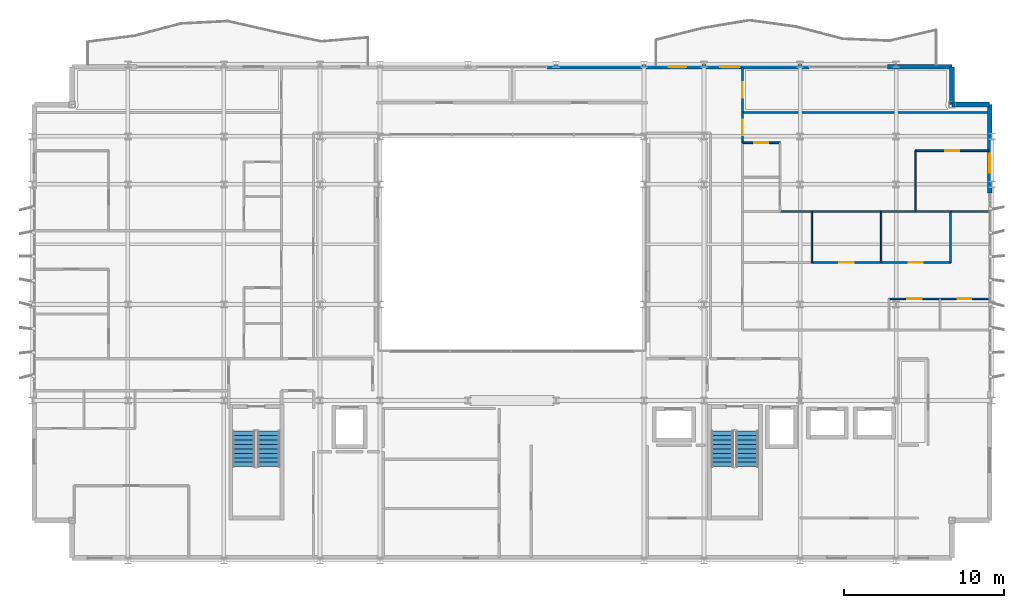
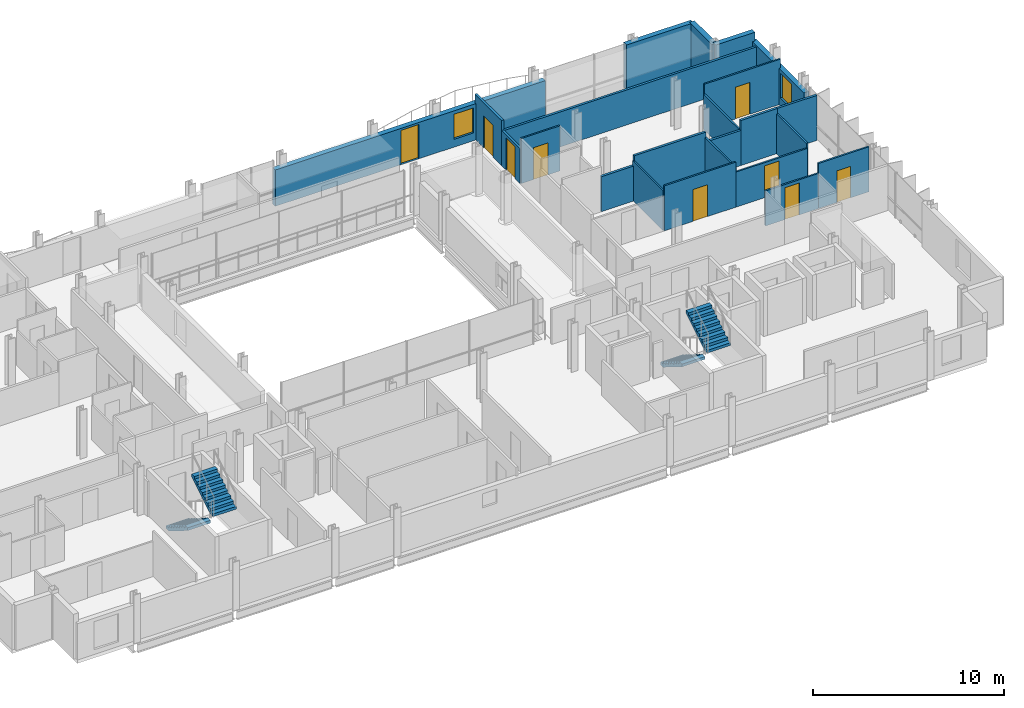
# One storey, part 33 of 38: 23 walls, 9 doors, 4 stair flights, 2 windows, 11 openings, 2 elements without a shape of their own.
"""IFC4 building model written with IfcOpenShell, lengths in metres."""

from ifc_helpers import new_model, si_unit, direction, frame, frame_2d, origin, place, context, subcontext, project, spatial, polyline, rectangle, outline, extrude, material, layer, layer_set, type_object, element, fill, aggregate, save


model = new_model("IFC4")

# Units and contexts
model_context = context("Model", 3, precision=1e-05, world=origin(), true_north=direction((0.0, 1.0)))
body_context = subcontext(model_context, "Body", "Model", "MODEL_VIEW")
ifc_project = project(units=[si_unit("LENGTHUNIT", "METRE"), si_unit("AREAUNIT", "SQUARE_METRE"), si_unit("VOLUMEUNIT", "CUBIC_METRE"), si_unit("PLANEANGLEUNIT", "RADIAN"), si_unit("MASSUNIT", "GRAM", prefix="KILO")], contexts=[model_context])

# Site, building, storey
site_placement = place(None, origin())
site = spatial("IfcSite", under=ifc_project, at=site_placement, CompositionType="ELEMENT")
building_placement = place(site_placement, origin())
building = spatial("IfcBuilding", under=site, at=building_placement, Name="Brevholm Reach", CompositionType="ELEMENT")
storey_placement = place(building_placement, frame((0.0, 0.0, 166.60009765625)))
storey = spatial("IfcBuildingStorey", under=building, at=storey_placement, Name="L50", CompositionType="ELEMENT", Elevation=166.60009765625)

# Walls
ifc_material_1 = material(Name="Concrete C40/50", Category="concrete")
ifc_layer_1 = layer(ifc_material_1, 0.300048828125)
ifc_layer_set_1 = layer_set([ifc_layer_1], Name="Concrete C40/50")
wall_type_1 = type_object("IfcWallType", Name="WAL-EXT-300", PredefinedType="STANDARD", material=ifc_layer_set_1)
for number, where, z_axis, x_axis, name in (
    (1, (59.85009765625, 28.5, 0.0), (0.0, 0.0, 1.0), (-1.0, 0.0, 0.0), "L50 Facade Wall WAL-L50-CNE1"),
    (2, (57.5, 28.5, 0.0), (0.0, 0.0, 1.0), (0.0, 1.0, 0.0), "L50 Facade Wall WAL-L50-CNE2"),
):
    element("IfcWall", number, at=place(storey_placement, frame(where, z_axis=z_axis, x_axis=x_axis)), inside=storey, type_object=wall_type_1, Name=name, PredefinedType="STANDARD", context=body_context, shape_type="SweptSolid", body=[
        extrude(rectangle(XDim=2.35009765625, YDim=0.300048828125, at=frame_2d((1.175048828125, 0.0))), origin(), (0.0, 0.0, 1.0), 2.8798828125),
    ])

# Wall, opening, window
wall_1_placement = place(storey_placement, frame((59.85009765625, 22.949951171875, 0.0), z_axis=(0.0, 0.0, 1.0), x_axis=(0.0, 1.0, 0.0)))
wall_1 = element("IfcWall", 3, at=wall_1_placement, inside=storey, type_object=wall_type_1, Name="L50 Facade Wall WAL-L50-E-N", PredefinedType="STANDARD", context=body_context, shape_type="SweptSolid", body=[
    extrude(rectangle(XDim=5.550048828125, YDim=0.300048828125, at=frame_2d((2.77490234375, 0.0))), origin(), (0.0, 0.0, 1.0), 2.32177734375),
])
opening_1_placement = place(wall_1_placement, frame((1.27001953125, 0.0, 0.501953125)))
opening_1 = element("IfcOpeningElement", 4, at=opening_1_placement, cuts=wall_1, Name="Opening WN-08", PredefinedType="OPENING", context=body_context, shape_type="SweptSolid", body=[
    extrude(rectangle(XDim=1.199951171875, YDim=1.60009765625, at=frame_2d((0.60009765625, 0.800048828125))), frame((0.0, 0.159912109375, 0.0), z_axis=(0.0, -1.0, 0.0), x_axis=(1.0, 0.0, 0.0)), (0.0, 0.0, 1.0), 0.320068359375),
])
ifc_material_2 = material(Name="Dark Anodised Aluminium and Solar-Control IGU Glass", Category="aluminium")
window_type = type_object("IfcWindowType", Name="WIN-RES-1200", PartitioningType="SINGLE_PANEL", PredefinedType="WINDOW", material=ifc_material_2)
window_1_placement = place(opening_1_placement, origin())
window_1 = element("IfcWindow", 5, at=window_1_placement, inside=storey, type_object=window_type, Name="L50 Window WIN-L50-EN-1", OverallHeight=1.60009765625, OverallWidth=1.199951171875, PartitioningType="SINGLE_PANEL", PredefinedType="WINDOW", context=body_context, shape_type="SweptSolid", body=[
    extrude(rectangle(XDim=1.199951171875, YDim=1.60009765625, at=frame_2d((0.60009765625, 0.800048828125))), frame((0.0, 0.030029296875, 0.0), z_axis=(0.0, -1.0, 0.0), x_axis=(1.0, 0.0, 0.0)), (0.0, 0.0, 1.0), 0.06005859375),
])
fill(opening_1, window_1)

# Wall
wall_2_placement = place(storey_placement, frame((53.449951171875, 30.85009765625, 0.0), z_axis=(0.0, 0.0, 1.0), x_axis=(1.0, 0.0, 0.0)))
element("IfcWall", 6, at=wall_2_placement, inside=storey, type_object=wall_type_1, Name="L50 Facade Wall WAL-L50-NP-E0", PredefinedType="STANDARD", context=body_context, shape_type="SweptSolid", body=[
    extrude(rectangle(XDim=4.050048828125, YDim=0.300048828125, at=frame_2d((2.02490234375, 0.0))), origin(), (0.0, 0.0, 1.0), 2.8798828125),
])

# Wall, openings, door, window
wall_3_placement = place(storey_placement, frame((32.199951171875, 30.85009765625, 0.0), z_axis=(0.0, 0.0, 1.0), x_axis=(1.0, 0.0, 0.0)))
wall_3 = element("IfcWall", 7, at=wall_3_placement, inside=storey, type_object=wall_type_1, Name="L50 Facade Wall WAL-L50-NP-ER", PredefinedType="STANDARD", context=body_context, shape_type="SweptSolid", body=[
    extrude(rectangle(XDim=16.35009765625, YDim=0.300048828125, at=frame_2d((8.175048828125, 0.0))), origin(), (0.0, 0.0, 1.0), 2.32177734375),
])
opening_2_placement = place(wall_3_placement, frame((7.60009765625, 0.0, 0.0)))
opening_2 = element("IfcOpeningElement", 8, at=opening_2_placement, cuts=wall_3, Name="Opening BD-01", PredefinedType="OPENING", context=body_context, shape_type="SweptSolid", body=[
    extrude(rectangle(XDim=1.10009765625, YDim=2.199951171875, at=frame_2d((0.550048828125, 1.10009765625))), frame((0.0, 0.159912109375, 0.0), z_axis=(0.0, -1.0, 0.0), x_axis=(1.0, 0.0, 0.0)), (0.0, 0.0, 1.0), 0.320068359375),
])
opening_3_placement = place(wall_3_placement, frame((10.800048828125, 0.0, 0.501953125)))
opening_3 = element("IfcOpeningElement", 9, at=opening_3_placement, cuts=wall_3, Name="Opening WN-08", PredefinedType="OPENING", context=body_context, shape_type="SweptSolid", body=[
    extrude(rectangle(XDim=1.199951171875, YDim=1.60009765625, at=frame_2d((0.60009765625, 0.800048828125))), frame((0.0, 0.159912109375, 0.0), z_axis=(0.0, -1.0, 0.0), x_axis=(1.0, 0.0, 0.0)), (0.0, 0.0, 1.0), 0.320068359375),
])
ifc_material_3 = material(Name="Dark Anodised Aluminium and Triple-Glazed Glass", Category="aluminium")
door_type_1 = type_object("IfcDoorType", Name="DOR-BALC-1100", OperationType="NOTDEFINED", PredefinedType="DOOR", material=ifc_material_3)
door_1_placement = place(opening_2_placement, origin())
door_1 = element("IfcDoor", 10, at=door_1_placement, inside=storey, type_object=door_type_1, Name="L50 Exterior Door DOR-L50-BL-NE", OperationType="SINGLE_SWING_LEFT", OverallHeight=2.199951171875, OverallWidth=1.10009765625, PredefinedType="DOOR", context=body_context, shape_type="SweptSolid", body=[
    extrude(rectangle(XDim=1.10009765625, YDim=2.199951171875, at=frame_2d((0.550048828125, 1.10009765625))), frame((0.0, 0.02490234375, 0.0), z_axis=(0.0, -1.0, 0.0), x_axis=(1.0, 0.0, 0.0)), (0.0, 0.0, 1.0), 0.050048828125),
])
fill(opening_2, door_1)
window_2_placement = place(opening_3_placement, origin())
window_2 = element("IfcWindow", 11, at=window_2_placement, inside=storey, type_object=window_type, Name="L50 Window WIN-L50-NP-ER1", OverallHeight=1.60009765625, OverallWidth=1.199951171875, PartitioningType="SINGLE_PANEL", PredefinedType="WINDOW", context=body_context, shape_type="SweptSolid", body=[
    extrude(rectangle(XDim=1.199951171875, YDim=1.60009765625, at=frame_2d((0.60009765625, 0.800048828125))), frame((0.0, 0.030029296875, 0.0), z_axis=(0.0, -1.0, 0.0), x_axis=(1.0, 0.0, 0.0)), (0.0, 0.0, 1.0), 0.06005859375),
])
fill(opening_3, window_2)

# Wall, opening, door
ifc_material_4 = material(Name="Moisture-Resistant Acoustic Gypsum Stud Partition 100 mm", Category="gypsum")
ifc_layer_2 = layer(ifc_material_4, 0.10009765625)
ifc_layer_set_2 = layer_set([ifc_layer_2], Name="Moisture-Resistant Acoustic Gypsum Stud Partition 100 mm")
wall_type_2 = type_object("IfcWallType", Name="WAL-PRT-100", PredefinedType="PARTITIONING", material=ifc_layer_set_2)
wall_4_placement = place(storey_placement, frame((56.75, 16.35009765625, 0.0), z_axis=(0.0, 0.0, 1.0), x_axis=(1.0, 0.0, 0.0)))
wall_4 = element("IfcWall", 12, at=wall_4_placement, inside=storey, type_object=wall_type_2, Name="L50 Internal Partition 087", PredefinedType="PARTITIONING", context=body_context, shape_type="SweptSolid", body=[
    extrude(rectangle(XDim=3.050048828125, YDim=0.10009765625, at=frame_2d((1.52490234375, 0.0))), origin(), (0.0, 0.0, 1.0), 2.8798828125),
])
opening_4_placement = place(wall_4_placement, frame((1.114990234375, 0.0, 0.0)))
opening_4 = element("IfcOpeningElement", 13, at=opening_4_placement, cuts=wall_4, Name="Opening ID-03", PredefinedType="OPENING", context=body_context, shape_type="SweptSolid", body=[
    extrude(rectangle(XDim=0.820068359375, YDim=2.02001953125, at=frame_2d((0.41015625, 1.010009765625))), frame((0.0, 0.06005859375, 0.0), z_axis=(0.0, -1.0, 0.0), x_axis=(1.0, 0.0, 0.0)), (0.0, 0.0, 1.0), 0.1201171875),
])
ifc_material_5 = material(Name="Moisture-Resistant Painted Timber Internal Bathroom Door", Category="wood")
door_type_2 = type_object("IfcDoorType", Name="DOR-BATH-820", OperationType="NOTDEFINED", PredefinedType="DOOR", material=ifc_material_5)
door_2_placement = place(opening_4_placement, origin())
door_2 = element("IfcDoor", 14, at=door_2_placement, inside=storey, type_object=door_type_2, Name="L50 Internal Door 038", OperationType="SINGLE_SWING_RIGHT", OverallHeight=2.02001953125, OverallWidth=0.820068359375, PredefinedType="DOOR", context=body_context, shape_type="SweptSolid", body=[
    extrude(rectangle(XDim=0.820068359375, YDim=2.02001953125, at=frame_2d((0.41015625, 1.010009765625))), frame((0.0, 0.02490234375, 0.0), z_axis=(0.0, -1.0, 0.0), x_axis=(1.0, 0.0, 0.0)), (0.0, 0.0, 1.0), 0.050048828125),
])
fill(opening_4, door_2)

wall_5_placement = place(storey_placement, frame((53.550048828125, 16.35009765625, 0.0), z_axis=(0.0, 0.0, 1.0), x_axis=(1.0, 0.0, 0.0)))
wall_5 = element("IfcWall", 15, at=wall_5_placement, inside=storey, type_object=wall_type_2, Name="L50 Internal Partition 088", PredefinedType="PARTITIONING", context=body_context, shape_type="SweptSolid", body=[
    extrude(rectangle(XDim=3.196044921875, YDim=0.10009765625, at=frame_2d((1.59814453125, 0.0))), origin(), (0.0, 0.0, 1.0), 2.24267578125),
])
opening_5_placement = place(wall_5_placement, frame((1.157958984375, 0.0, 0.0)))
opening_5 = element("IfcOpeningElement", 16, at=opening_5_placement, cuts=wall_5, Name="Opening ID-01", PredefinedType="OPENING", context=body_context, shape_type="SweptSolid", body=[
    extrude(rectangle(XDim=0.8798828125, YDim=2.0400390625, at=frame_2d((0.43994140625, 1.02001953125))), frame((0.0, 0.06005859375, 0.0), z_axis=(0.0, -1.0, 0.0), x_axis=(1.0, 0.0, 0.0)), (0.0, 0.0, 1.0), 0.1201171875),
])
ifc_material_6 = material(Name="Lacquered Ash Solid-Core Acoustic Internal Door", Category="timber")
door_type_3 = type_object("IfcDoorType", Name="DOR-INT-880", OperationType="NOTDEFINED", PredefinedType="DOOR", material=ifc_material_6)
door_3_placement = place(opening_5_placement, origin())
door_3 = element("IfcDoor", 17, at=door_3_placement, inside=storey, type_object=door_type_3, Name="L50 Internal Door 039", OperationType="SINGLE_SWING_LEFT", OverallHeight=2.0400390625, OverallWidth=0.8798828125, PredefinedType="DOOR", context=body_context, shape_type="SweptSolid", body=[
    extrude(rectangle(XDim=0.8798828125, YDim=2.0400390625, at=frame_2d((0.43994140625, 1.02001953125))), frame((0.0, 0.02490234375, 0.0), z_axis=(0.0, -1.0, 0.0), x_axis=(1.0, 0.0, 0.0)), (0.0, 0.0, 1.0), 0.050048828125),
])
fill(opening_5, door_3)

# Walls
for number, where, z_axis, x_axis, name in (
    (18, (48.73291015625, 18.617919921875, 0.0), (0.0, 0.0, 1.0), (0.0, 1.0, 0.0), "L50 Internal Partition 090"),
    (19, (53.06591796875, 18.617919921875, 0.0), (0.0, 0.0, 1.0), (0.0, 1.0, 0.0), "L50 Internal Partition 094"),
):
    element("IfcWall", number, at=place(storey_placement, frame(where, z_axis=z_axis, x_axis=x_axis)), inside=storey, type_object=wall_type_2, Name=name, PredefinedType="PARTITIONING", context=body_context, shape_type="SweptSolid", body=[
        extrude(rectangle(XDim=3.18212890625, YDim=0.10009765625, at=frame_2d((1.591064453125, 0.0))), origin(), (0.0, 0.0, 1.0), 2.551513671875),
    ])

# Wall, opening, door
wall_6_placement = place(storey_placement, frame((48.737060546875, 18.617919921875, 0.0), z_axis=(0.0, 0.0, 1.0), x_axis=(1.0, 0.0, 0.0)))
wall_6 = element("IfcWall", 20, at=wall_6_placement, inside=storey, type_object=wall_type_2, Name="L50 Internal Partition 095", PredefinedType="PARTITIONING", context=body_context, shape_type="SweptSolid", body=[
    extrude(rectangle(XDim=4.328857421875, YDim=0.10009765625, at=frame_2d((2.16455078125, 0.0))), origin(), (0.0, 0.0, 1.0), 2.8798828125),
])
opening_6_placement = place(wall_6_placement, frame((1.724609375, 0.0, 0.0)))
opening_6 = element("IfcOpeningElement", 21, at=opening_6_placement, cuts=wall_6, Name="Opening ID-01", PredefinedType="OPENING", context=body_context, shape_type="SweptSolid", body=[
    extrude(rectangle(XDim=0.8798828125, YDim=2.0400390625, at=frame_2d((0.43994140625, 1.02001953125))), frame((0.0, 0.06005859375, 0.0), z_axis=(0.0, -1.0, 0.0), x_axis=(1.0, 0.0, 0.0)), (0.0, 0.0, 1.0), 0.1201171875),
])
door_4_placement = place(opening_6_placement, origin())
door_4 = element("IfcDoor", 22, at=door_4_placement, inside=storey, type_object=door_type_3, Name="L50 Internal Door 041", OperationType="SINGLE_SWING_LEFT", OverallHeight=2.0400390625, OverallWidth=0.8798828125, PredefinedType="DOOR", context=body_context, shape_type="SweptSolid", body=[
    extrude(rectangle(XDim=0.8798828125, YDim=2.0400390625, at=frame_2d((0.43994140625, 1.02001953125))), frame((0.0, 0.02490234375, 0.0), z_axis=(0.0, -1.0, 0.0), x_axis=(1.0, 0.0, 0.0)), (0.0, 0.0, 1.0), 0.050048828125),
])
fill(opening_6, door_4)

wall_7_placement = place(storey_placement, frame((53.070068359375, 18.617919921875, 0.0), z_axis=(0.0, 0.0, 1.0), x_axis=(1.0, 0.0, 0.0)))
wall_7 = element("IfcWall", 23, at=wall_7_placement, inside=storey, type_object=wall_type_2, Name="L50 Internal Partition 097", PredefinedType="PARTITIONING", context=body_context, shape_type="SweptSolid", body=[
    extrude(rectangle(XDim=4.328857421875, YDim=0.10009765625, at=frame_2d((2.16455078125, 0.0))), origin(), (0.0, 0.0, 1.0), 2.24267578125),
])
opening_7_placement = place(wall_7_placement, frame((1.724609375, 0.0, 0.0)))
opening_7 = element("IfcOpeningElement", 24, at=opening_7_placement, cuts=wall_7, Name="Opening ID-01", PredefinedType="OPENING", context=body_context, shape_type="SweptSolid", body=[
    extrude(rectangle(XDim=0.8798828125, YDim=2.0400390625, at=frame_2d((0.43994140625, 1.02001953125))), frame((0.0, 0.06005859375, 0.0), z_axis=(0.0, -1.0, 0.0), x_axis=(1.0, 0.0, 0.0)), (0.0, 0.0, 1.0), 0.1201171875),
])
door_5_placement = place(opening_7_placement, origin())
door_5 = element("IfcDoor", 25, at=door_5_placement, inside=storey, type_object=door_type_3, Name="L50 Internal Door 042", OperationType="SINGLE_SWING_RIGHT", OverallHeight=2.0400390625, OverallWidth=0.8798828125, PredefinedType="DOOR", context=body_context, shape_type="SweptSolid", body=[
    extrude(rectangle(XDim=0.8798828125, YDim=2.0400390625, at=frame_2d((0.43994140625, 1.02001953125))), frame((0.0, 0.02490234375, 0.0), z_axis=(0.0, -1.0, 0.0), x_axis=(1.0, 0.0, 0.0)), (0.0, 0.0, 1.0), 0.050048828125),
])
fill(opening_7, door_5)

# Wall
wall_8_placement = place(storey_placement, frame((57.39892578125, 18.617919921875, 0.0), z_axis=(0.0, 0.0, 1.0), x_axis=(0.0, 1.0, 0.0)))
element("IfcWall", 26, at=wall_8_placement, inside=storey, type_object=wall_type_2, Name="L50 Internal Partition 098", PredefinedType="PARTITIONING", context=body_context, shape_type="SweptSolid", body=[
    extrude(rectangle(XDim=3.18212890625, YDim=0.10009765625, at=frame_2d((1.591064453125, 0.0))), origin(), (0.0, 0.0, 1.0), 2.551513671875),
])

# Wall, opening, door
wall_9_placement = place(storey_placement, frame((44.404052734375, 26.10009765625, 0.0), z_axis=(0.0, 0.0, 1.0), x_axis=(1.0, 0.0, 0.0)))
wall_9 = element("IfcWall", 27, at=wall_9_placement, inside=storey, type_object=wall_type_2, Name="L50 Internal Partition 105", PredefinedType="PARTITIONING", context=body_context, shape_type="SweptSolid", body=[
    extrude(rectangle(XDim=2.345947265625, YDim=0.10009765625, at=frame_2d((1.1728515625, 0.0))), origin(), (0.0, 0.0, 1.0), 2.8798828125),
])
opening_8_placement = place(wall_9_placement, frame((0.73291015625, 0.0, 0.0)))
opening_8 = element("IfcOpeningElement", 28, at=opening_8_placement, cuts=wall_9, Name="Opening ID-01", PredefinedType="OPENING", context=body_context, shape_type="SweptSolid", body=[
    extrude(rectangle(XDim=0.8798828125, YDim=2.0400390625, at=frame_2d((0.43994140625, 1.02001953125))), frame((0.0, 0.06005859375, 0.0), z_axis=(0.0, -1.0, 0.0), x_axis=(1.0, 0.0, 0.0)), (0.0, 0.0, 1.0), 0.1201171875),
])
door_6_placement = place(opening_8_placement, origin())
door_6 = element("IfcDoor", 29, at=door_6_placement, inside=storey, type_object=door_type_3, Name="L50 Internal Door 044", OperationType="SINGLE_SWING_RIGHT", OverallHeight=2.0400390625, OverallWidth=0.8798828125, PredefinedType="DOOR", context=body_context, shape_type="SweptSolid", body=[
    extrude(rectangle(XDim=0.8798828125, YDim=2.0400390625, at=frame_2d((0.43994140625, 1.02001953125))), frame((0.0, 0.02490234375, 0.0), z_axis=(0.0, -1.0, 0.0), x_axis=(1.0, 0.0, 0.0)), (0.0, 0.0, 1.0), 0.050048828125),
])
fill(opening_8, door_6)

wall_10_placement = place(storey_placement, frame((55.199951171875, 25.60009765625, 0.0), z_axis=(0.0, 0.0, 1.0), x_axis=(1.0, 0.0, 0.0)))
wall_10 = element("IfcWall", 30, at=wall_10_placement, inside=storey, type_object=wall_type_2, Name="L50 Internal Partition 106", PredefinedType="PARTITIONING", context=body_context, shape_type="SweptSolid", body=[
    extrude(rectangle(XDim=4.60009765625, YDim=0.10009765625, at=frame_2d((2.300048828125, 0.0))), origin(), (0.0, 0.0, 1.0), 2.8798828125),
])
opening_9_placement = place(wall_10_placement, frame((1.860107421875, 0.0, 0.0)))
opening_9 = element("IfcOpeningElement", 31, at=opening_9_placement, cuts=wall_10, Name="Opening ID-01", PredefinedType="OPENING", context=body_context, shape_type="SweptSolid", body=[
    extrude(rectangle(XDim=0.8798828125, YDim=2.0400390625, at=frame_2d((0.43994140625, 1.02001953125))), frame((0.0, 0.06005859375, 0.0), z_axis=(0.0, -1.0, 0.0), x_axis=(1.0, 0.0, 0.0)), (0.0, 0.0, 1.0), 0.1201171875),
])
door_7_placement = place(opening_9_placement, origin())
door_7 = element("IfcDoor", 32, at=door_7_placement, inside=storey, type_object=door_type_3, Name="L50 Internal Door 045", OperationType="SINGLE_SWING_LEFT", OverallHeight=2.0400390625, OverallWidth=0.8798828125, PredefinedType="DOOR", context=body_context, shape_type="SweptSolid", body=[
    extrude(rectangle(XDim=0.8798828125, YDim=2.0400390625, at=frame_2d((0.43994140625, 1.02001953125))), frame((0.0, 0.02490234375, 0.0), z_axis=(0.0, -1.0, 0.0), x_axis=(1.0, 0.0, 0.0)), (0.0, 0.0, 1.0), 0.050048828125),
])
fill(opening_9, door_7)

# Wall
wall_11_placement = place(storey_placement, frame((55.199951171875, 21.803955078125, 0.0), z_axis=(0.0, 0.0, 1.0), x_axis=(0.0, 1.0, 0.0)))
element("IfcWall", 33, at=wall_11_placement, inside=storey, type_object=wall_type_2, Name="L50 Internal Partition 107", PredefinedType="PARTITIONING", context=body_context, shape_type="SweptSolid", body=[
    extrude(rectangle(XDim=3.796142578125, YDim=0.10009765625, at=frame_2d((1.89794921875, 0.0))), origin(), (0.0, 0.0, 1.0), 2.24267578125),
])

# Wall, opening, door
ifc_material_7 = material(Name="Twin-Stud Acoustic Fire-Rated Gypsum Partition 140 mm", Category="gypsum")
ifc_layer_3 = layer(ifc_material_7, 0.139892578125)
ifc_layer_set_3 = layer_set([ifc_layer_3], Name="Twin-Stud Acoustic Fire-Rated Gypsum Partition 140 mm")
wall_type_3 = type_object("IfcWallType", Name="WAL-PRT-140", PredefinedType="PARTITIONING", material=ifc_layer_set_3)
wall_12_placement = place(storey_placement, frame((44.39990234375, 26.0927734375, 0.0), z_axis=(0.0, 0.0, 1.0), x_axis=(0.0, 1.0, 0.0)))
wall_12 = element("IfcWall", 34, at=wall_12_placement, inside=storey, type_object=wall_type_3, Name="L50 Internal Partition 046", PredefinedType="PARTITIONING", context=body_context, shape_type="SweptSolid", body=[
    extrude(rectangle(XDim=1.91845703125, YDim=0.139892578125, at=frame_2d((0.959228515625, 0.0))), origin(), (0.0, 0.0, 1.0), 2.24267578125),
])
opening_10_placement = place(wall_12_placement, frame((0.484375, 0.0, 0.0)))
opening_10 = element("IfcOpeningElement", 35, at=opening_10_placement, cuts=wall_12, Name="Opening ID-30", PredefinedType="OPENING", context=body_context, shape_type="SweptSolid", body=[
    extrude(rectangle(XDim=0.949951171875, YDim=2.050048828125, at=frame_2d((0.47509765625, 1.02490234375))), frame((0.0, 0.079833984375, 0.0), z_axis=(0.0, -1.0, 0.0), x_axis=(1.0, 0.0, 0.0)), (0.0, 0.0, 1.0), 0.159912109375),
])
ifc_material_8 = material(Name="European Oak Veneered Solid-Core Fire Entrance Door", Category="timber")
door_type_4 = type_object("IfcDoorType", Name="DOR-FLT-FD30S", OperationType="NOTDEFINED", PredefinedType="DOOR", material=ifc_material_8)
door_8_placement = place(opening_10_placement, origin())
door_8 = element("IfcDoor", 36, at=door_8_placement, inside=storey, type_object=door_type_4, Name="L50 Internal Door 023", OperationType="SINGLE_SWING_LEFT", OverallHeight=2.050048828125, OverallWidth=0.949951171875, PredefinedType="DOOR", context=body_context, shape_type="SweptSolid", body=[
    extrude(rectangle(XDim=0.949951171875, YDim=2.050048828125, at=frame_2d((0.47509765625, 1.02490234375))), frame((0.0, 0.02490234375, 0.0), z_axis=(0.0, -1.0, 0.0), x_axis=(1.0, 0.0, 0.0)), (0.0, 0.0, 1.0), 0.050048828125),
])
fill(opening_10, door_8)

wall_13_placement = place(storey_placement, frame((44.39990234375, 27.99267578125, 0.0), z_axis=(0.0, 0.0, 1.0), x_axis=(0.0, 1.0, 0.0)))
wall_13 = element("IfcWall", 37, at=wall_13_placement, inside=storey, type_object=wall_type_3, Name="L50 Internal Partition 048", PredefinedType="PARTITIONING", context=body_context, shape_type="SweptSolid", body=[
    extrude(rectangle(XDim=2.807373046875, YDim=0.139892578125, at=frame_2d((1.40380859375, 0.0))), origin(), (0.0, 0.0, 1.0), 2.8798828125),
])
opening_11_placement = place(wall_13_placement, frame((0.9287109375, 0.0, 0.0)))
opening_11 = element("IfcOpeningElement", 38, at=opening_11_placement, cuts=wall_13, Name="Opening ID-30", PredefinedType="OPENING", context=body_context, shape_type="SweptSolid", body=[
    extrude(rectangle(XDim=0.949951171875, YDim=2.050048828125, at=frame_2d((0.47509765625, 1.02490234375))), frame((0.0, 0.079833984375, 0.0), z_axis=(0.0, -1.0, 0.0), x_axis=(1.0, 0.0, 0.0)), (0.0, 0.0, 1.0), 0.159912109375),
])
door_9_placement = place(opening_11_placement, origin())
door_9 = element("IfcDoor", 39, at=door_9_placement, inside=storey, type_object=door_type_4, Name="L50 Internal Door 024", OperationType="SINGLE_SWING_RIGHT", OverallHeight=2.050048828125, OverallWidth=0.949951171875, PredefinedType="DOOR", context=body_context, shape_type="SweptSolid", body=[
    extrude(rectangle(XDim=0.949951171875, YDim=2.050048828125, at=frame_2d((0.47509765625, 1.02490234375))), frame((0.0, 0.02490234375, 0.0), z_axis=(0.0, -1.0, 0.0), x_axis=(1.0, 0.0, 0.0)), (0.0, 0.0, 1.0), 0.050048828125),
])
fill(opening_11, door_9)

# Walls
wall_14_placement = place(storey_placement, frame((46.74267578125, 21.800048828125, 0.0), z_axis=(0.0, 0.0, 1.0), x_axis=(1.0, 0.0, 0.0)))
element("IfcWall", 40, at=wall_14_placement, inside=storey, type_object=wall_type_3, Name="L50 Internal Partition 093", PredefinedType="PARTITIONING", context=body_context, shape_type="SweptSolid", body=[
    extrude(rectangle(XDim=1.990234375, YDim=0.139892578125, at=frame_2d((0.9951171875, 0.0))), origin(), (0.0, 0.0, 1.0), 2.24267578125),
])
wall_15_placement = place(storey_placement, frame((48.737060546875, 21.800048828125, 0.0), z_axis=(0.0, 0.0, 1.0), x_axis=(1.0, 0.0, 0.0)))
element("IfcWall", 41, at=wall_15_placement, inside=storey, type_object=wall_type_3, Name="L50 Internal Partition 096", PredefinedType="PARTITIONING", context=body_context, shape_type="SweptSolid", body=[
    extrude(rectangle(XDim=4.328857421875, YDim=0.139892578125, at=frame_2d((2.16455078125, 0.0))), origin(), (0.0, 0.0, 1.0), 2.8798828125),
])
wall_16_placement = place(storey_placement, frame((55.188720703125, 21.800048828125, 0.0), z_axis=(0.0, 0.0, 1.0), x_axis=(1.0, 0.0, 0.0)))
element("IfcWall", 42, at=wall_16_placement, inside=storey, type_object=wall_type_3, Name="L50 Internal Partition 099", PredefinedType="PARTITIONING", context=body_context, shape_type="SweptSolid", body=[
    extrude(rectangle(XDim=2.210205078125, YDim=0.139892578125, at=frame_2d((1.10498046875, 0.0))), origin(), (0.0, 0.0, 1.0), 2.8798828125),
])
wall_17_placement = place(storey_placement, frame((53.070068359375, 21.800048828125, 0.0), z_axis=(0.0, 0.0, 1.0), x_axis=(1.0, 0.0, 0.0)))
element("IfcWall", 43, at=wall_17_placement, inside=storey, type_object=wall_type_3, Name="L50 Internal Partition 100", PredefinedType="PARTITIONING", context=body_context, shape_type="SweptSolid", body=[
    extrude(rectangle(XDim=2.13720703125, YDim=0.139892578125, at=frame_2d((1.068603515625, 0.0))), origin(), (0.0, 0.0, 1.0), 2.24267578125),
])
wall_18_placement = place(storey_placement, frame((57.403076171875, 21.800048828125, 0.0), z_axis=(0.0, 0.0, 1.0), x_axis=(1.0, 0.0, 0.0)))
element("IfcWall", 44, at=wall_18_placement, inside=storey, type_object=wall_type_3, Name="L50 Internal Partition 101", PredefinedType="PARTITIONING", context=body_context, shape_type="SweptSolid", body=[
    extrude(rectangle(XDim=2.39697265625, YDim=0.139892578125, at=frame_2d((1.198486328125, 0.0))), origin(), (0.0, 0.0, 1.0), 2.8798828125),
])
wall_19_placement = place(storey_placement, frame((44.404052734375, 28.0, 0.0), z_axis=(0.0, 0.0, 1.0), x_axis=(1.0, 0.0, 0.0)))
element("IfcWall", 45, at=wall_19_placement, inside=storey, type_object=wall_type_3, Name="L50 Internal Partition 108", PredefinedType="PARTITIONING", context=body_context, shape_type="SweptSolid", body=[
    extrude(rectangle(XDim=15.39599609375, YDim=0.139892578125, at=frame_2d((7.697998046875, 0.0))), origin(), (0.0, 0.0, 1.0), 2.24267578125),
])

# Stair, stair flights
ifc_material_9 = material(Name="Precast Concrete C40/50", Category="concrete")
stair_type = type_object("IfcStairType", Name="STR-ESC-1400", PredefinedType="DOUBLE_RETURN_STAIR", material=ifc_material_9)
stair_1_placement = place(storey_placement, origin())
stair_1 = element("IfcStair", 46, at=stair_1_placement, inside=storey, type_object=stair_type, Name="L50 ST-1", PredefinedType="DOUBLE_RETURN_STAIR")
ifc_material_10 = material(Name="Precast Concrete C40/50", Category="concrete")
ifc_layer_4 = layer(ifc_material_10, 0.18505859375)
ifc_layer_set_4 = layer_set([ifc_layer_4], Name="Precast Concrete C40/50")
stair_flight_type = type_object("IfcStairFlightType", Name="STF-PRC-185", PredefinedType="STRAIGHT", material=ifc_layer_set_4)
stair_flight_1_placement = place(storey_placement, frame((13.25, 8.10009765625, 0.0), z_axis=(0.0, 0.0, 1.0), x_axis=(0.0, -1.0, 0.0)))
stair_flight_1 = element("IfcStairFlight", 47, at=stair_flight_1_placement, type_object=stair_flight_type, Name="ST-1 flight 1", NumberOfRisers=9, NumberOfTreads=8, PredefinedType="STRAIGHT", RiserHeight=0.172222222, TreadLength=0.28, context=body_context, shape_type="SweptSolid", body=[
    extrude(outline(polyline([(0.0, 0.0), (0.0, 0.172119140625), (0.280029296875, 0.172119140625), (0.280029296875, 0.344482421875), (0.56005859375, 0.344482421875), (0.56005859375, 0.5166015625), (0.840087890625, 0.5166015625), (0.840087890625, 0.68896484375), (1.1201171875, 0.68896484375), (1.1201171875, 0.861083984375), (1.39990234375, 0.861083984375), (1.39990234375, 1.033447265625), (1.679931640625, 1.033447265625), (1.679931640625, 1.20556640625), (1.9599609375, 1.20556640625), (1.9599609375, 1.377685546875), (2.239990234375, 1.377685546875), (2.239990234375, 1.550048828125), (2.239990234375, 1.201904296875), (0.2861328125, 0.0), (0.0, 0.0)])), frame((0.0, 0.699951171875, 0.0), z_axis=(0.0, -1.0, 0.0), x_axis=(1.0, 0.0, 0.0)), (0.0, 0.0, 1.0), 1.39990234375),
])
stair_flight_2_placement = place(storey_placement, frame((14.800048828125, 5.860107421875, 1.5498046875), z_axis=(0.0, 0.0, 1.0), x_axis=(0.0, 1.0, 0.0)))
stair_flight_2 = element("IfcStairFlight", 48, at=stair_flight_2_placement, type_object=stair_flight_type, Name="ST-1 flight 2", NumberOfRisers=9, NumberOfTreads=8, PredefinedType="STRAIGHT", RiserHeight=0.172222222, TreadLength=0.28, context=body_context, shape_type="SweptSolid", body=[
    extrude(outline(polyline([(0.0, 0.0), (0.0, 0.172119140625), (0.280029296875, 0.172119140625), (0.280029296875, 0.344482421875), (0.56005859375, 0.344482421875), (0.56005859375, 0.5166015625), (0.840087890625, 0.5166015625), (0.840087890625, 0.68896484375), (1.1201171875, 0.68896484375), (1.1201171875, 0.861083984375), (1.39990234375, 0.861083984375), (1.39990234375, 1.033447265625), (1.679931640625, 1.033447265625), (1.679931640625, 1.20556640625), (1.9599609375, 1.20556640625), (1.9599609375, 1.377685546875), (2.239990234375, 1.377685546875), (2.239990234375, 1.550048828125), (2.239990234375, 1.201904296875), (0.2861328125, 0.0), (0.0, 0.0)])), frame((0.0, 0.699951171875, 0.0), z_axis=(0.0, -1.0, 0.0), x_axis=(1.0, 0.0, 0.0)), (0.0, 0.0, 1.0), 1.39990234375),
])
aggregate(stair_1, [stair_flight_1, stair_flight_2])

stair_2_placement = place(storey_placement, origin())
stair_2 = element("IfcStair", 49, at=stair_2_placement, inside=storey, type_object=stair_type, Name="L50 ST-2", PredefinedType="DOUBLE_RETURN_STAIR")
stair_flight_3_placement = place(storey_placement, frame((43.14990234375, 8.10009765625, 0.0), z_axis=(0.0, 0.0, 1.0), x_axis=(0.0, -1.0, 0.0)))
stair_flight_3 = element("IfcStairFlight", 50, at=stair_flight_3_placement, type_object=stair_flight_type, Name="ST-2 flight 1", NumberOfRisers=9, NumberOfTreads=8, PredefinedType="STRAIGHT", RiserHeight=0.172222222, TreadLength=0.28, context=body_context, shape_type="SweptSolid", body=[
    extrude(outline(polyline([(0.0, 0.0), (0.0, 0.172119140625), (0.280029296875, 0.172119140625), (0.280029296875, 0.344482421875), (0.56005859375, 0.344482421875), (0.56005859375, 0.5166015625), (0.840087890625, 0.5166015625), (0.840087890625, 0.68896484375), (1.1201171875, 0.68896484375), (1.1201171875, 0.861083984375), (1.39990234375, 0.861083984375), (1.39990234375, 1.033447265625), (1.679931640625, 1.033447265625), (1.679931640625, 1.20556640625), (1.9599609375, 1.20556640625), (1.9599609375, 1.377685546875), (2.239990234375, 1.377685546875), (2.239990234375, 1.550048828125), (2.239990234375, 1.201904296875), (0.2861328125, 0.0), (0.0, 0.0)])), frame((0.0, 0.699951171875, 0.0), z_axis=(0.0, -1.0, 0.0), x_axis=(1.0, 0.0, 0.0)), (0.0, 0.0, 1.0), 1.39990234375),
])
stair_flight_4_placement = place(storey_placement, frame((44.699951171875, 5.860107421875, 1.5498046875), z_axis=(0.0, 0.0, 1.0), x_axis=(0.0, 1.0, 0.0)))
stair_flight_4 = element("IfcStairFlight", 51, at=stair_flight_4_placement, type_object=stair_flight_type, Name="ST-2 flight 2", NumberOfRisers=9, NumberOfTreads=8, PredefinedType="STRAIGHT", RiserHeight=0.172222222, TreadLength=0.28, context=body_context, shape_type="SweptSolid", body=[
    extrude(outline(polyline([(0.0, 0.0), (0.0, 0.172119140625), (0.280029296875, 0.172119140625), (0.280029296875, 0.344482421875), (0.56005859375, 0.344482421875), (0.56005859375, 0.5166015625), (0.840087890625, 0.5166015625), (0.840087890625, 0.68896484375), (1.1201171875, 0.68896484375), (1.1201171875, 0.861083984375), (1.39990234375, 0.861083984375), (1.39990234375, 1.033447265625), (1.679931640625, 1.033447265625), (1.679931640625, 1.20556640625), (1.9599609375, 1.20556640625), (1.9599609375, 1.377685546875), (2.239990234375, 1.377685546875), (2.239990234375, 1.550048828125), (2.239990234375, 1.201904296875), (0.2861328125, 0.0), (0.0, 0.0)])), frame((0.0, 0.699951171875, 0.0), z_axis=(0.0, -1.0, 0.0), x_axis=(1.0, 0.0, 0.0)), (0.0, 0.0, 1.0), 1.39990234375),
])
aggregate(stair_2, [stair_flight_3, stair_flight_4])

save(model, "model.ifc")
